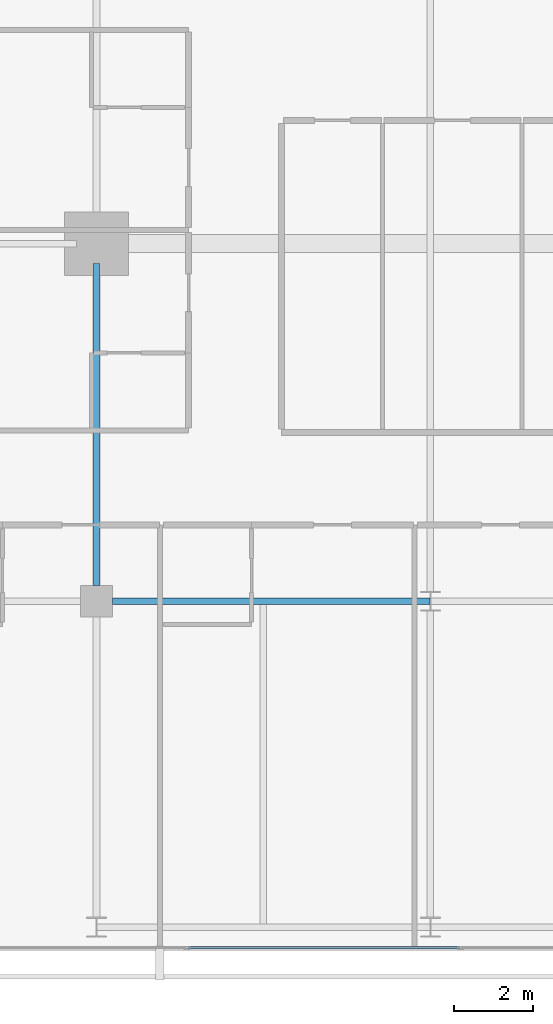
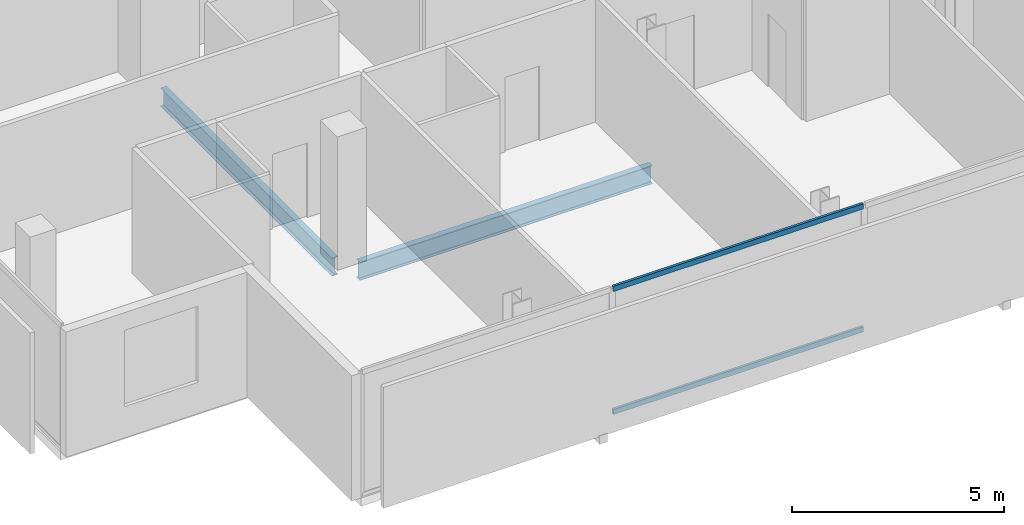
# One storey, part 5 of 26: 2 beams, 2 members, 1 element without a shape of its own.
"""IFC4 building model written with IfcOpenShell, lengths in metres."""

from ifc_helpers import new_model, si_unit, direction, frame, origin, origin_2d, place, context, subcontext, project, spatial, hollow_rectangle, i_section, extrude, material, layer, layer_set, material_profile, profile_set, type_object, element, aggregate, save


model = new_model("IFC4")

# Units and contexts
model_context = context("Model", 3, precision=1e-05, world=origin(), true_north=direction((0.0, 1.0)))
body_context = subcontext(model_context, "Body", "Model", "MODEL_VIEW")
ifc_project = project(units=[si_unit("LENGTHUNIT", "METRE"), si_unit("AREAUNIT", "SQUARE_METRE"), si_unit("VOLUMEUNIT", "CUBIC_METRE"), si_unit("PLANEANGLEUNIT", "RADIAN"), si_unit("MASSUNIT", "GRAM", prefix="KILO")], contexts=[model_context])

# Site, building, storey
site_placement = place(None, origin())
site = spatial("IfcSite", under=ifc_project, at=site_placement, CompositionType="ELEMENT")
building_placement = place(site_placement, origin())
building = spatial("IfcBuilding", under=site, at=building_placement, Name="Maruvema Waterfront Hotel and Observation Tower", CompositionType="ELEMENT")
storey_placement = place(building_placement, frame((0.0, 0.0, 289.449951171875)))
storey = spatial("IfcBuildingStorey", under=building, at=storey_placement, Name="L71", CompositionType="ELEMENT", Elevation=289.449951171875)

# Curtain wall, members
ifc_material_1 = material(Name="Anodised bronze aluminium and solar-control low-E IGU", Category="aluminium")
ifc_layer = layer(ifc_material_1, 0.159912109375, Name="Zone 3 Champagne Inner Thermal Curtain Wall System CW-04")
ifc_layer_set = layer_set([ifc_layer], Name="Anodised bronze aluminium and solar-control low-E IGU")
curtain_wall_type = type_object("IfcCurtainWallType", Name="Zone 3 Champagne Inner Thermal Curtain Wall System CW-04", PredefinedType="USERDEFINED", material=ifc_layer_set)
curtain_wall_placement = place(storey_placement, origin())
curtain_wall = element("IfcCurtainWall", 1, at=curtain_wall_placement, inside=storey, type_object=curtain_wall_type, Name="L71 Curtain Wall CW-L71-S", ObjectType="UNITISED CURTAIN WALL", PredefinedType="USERDEFINED")
ifc_material_2 = material(Name="Anodised architectural bronze aluminium", Category="aluminium")
ifc_material_profile_1 = material_profile(ifc_material_2, hollow_rectangle(XDim=0.070068359375, YDim=0.14990234375, WallThickness=0.00390625, at=origin_2d()), Name="ALU-T70x150")
ifc_profile_set_1 = profile_set([ifc_material_profile_1], Name="Anodised architectural bronze aluminium")
member_type = type_object("IfcMemberType", Name="Curtain Wall Horizontal Transom ALU-T70x150", PredefinedType="USERDEFINED", material=ifc_profile_set_1)
member_1_placement = place(storey_placement, frame((27.510009765625, 9.280029296875, 0.030029296875), z_axis=(1.0, 0.0, 0.0), x_axis=(0.0, 1.0, 0.0)))
member_1 = element("IfcMember", 2, at=member_1_placement, type_object=member_type, Name="CW-04 transom 2.1", ObjectType="TRANSOM", PredefinedType="USERDEFINED", context=body_context, shape_type="SweptSolid", body=[
    extrude(hollow_rectangle(XDim=0.070068359375, YDim=0.14990234375, WallThickness=0.00390625, at=origin_2d()), origin(), (0.0, 0.0, 1.0), 6.820068359375),
])
member_2_placement = place(storey_placement, frame((27.510009765625, 9.280029296875, 3.580078125), z_axis=(1.0, 0.0, 0.0), x_axis=(0.0, 1.0, 0.0)))
member_2 = element("IfcMember", 3, at=member_2_placement, type_object=member_type, Name="CW-04 transom 2.2", ObjectType="TRANSOM", PredefinedType="USERDEFINED", context=body_context, shape_type="SweptSolid", body=[
    extrude(hollow_rectangle(XDim=0.070068359375, YDim=0.14990234375, WallThickness=0.00390625, at=origin_2d()), origin(), (0.0, 0.0, 1.0), 6.820068359375),
])
aggregate(curtain_wall, [member_1, member_2])

# Beams
ifc_material_3 = material(Name="Steel ASTM A572 Grade 50", Category="steel")
ifc_material_profile_2 = material_profile(ifc_material_3, i_section(OverallWidth=0.166015625, OverallDepth=0.529052734375, WebThickness=0.009765625, FlangeThickness=0.013671875, FilletRadius=0.014892578125, at=origin_2d()), Name="W530x74.0")
ifc_profile_set_2 = profile_set([ifc_material_profile_2], Name="Steel ASTM A572 Grade 50")
beam_type = type_object("IfcBeamType", Name="Primary Floor Girder W530x74.0", PredefinedType="BEAM", material=ifc_profile_set_2)
beam_1_placement = place(storey_placement, frame((25.60009765625, 18.0, -0.50439453125), z_axis=(1.0, 0.0, 0.0), x_axis=(0.0, 1.0, 0.0)))
element("IfcBeam", 4, at=beam_1_placement, inside=storey, type_object=beam_type, Name="L71 Floor Girder EW-05", PredefinedType="BEAM", context=body_context, shape_type="SweptSolid", body=[
    extrude(i_section(OverallWidth=0.166015625, OverallDepth=0.529052734375, WebThickness=0.009765625, FlangeThickness=0.013671875, FilletRadius=0.014892578125, at=origin_2d()), origin(), (0.0, 0.0, 1.0), 7.989013671875),
])
beam_2_placement = place(storey_placement, frame((25.199951171875, 18.39990234375, -0.50439453125), z_axis=(0.0, 1.0, 0.0), x_axis=(-1.0, 0.0, 0.0)))
element("IfcBeam", 5, at=beam_2_placement, inside=storey, type_object=beam_type, Name="L71 Floor Girder NS-05", PredefinedType="BEAM", context=body_context, shape_type="SweptSolid", body=[
    extrude(i_section(OverallWidth=0.166015625, OverallDepth=0.529052734375, WebThickness=0.009765625, FlangeThickness=0.013671875, FilletRadius=0.014892578125, at=origin_2d()), origin(), (0.0, 0.0, 1.0), 8.10009765625),
])

save(model, "model.ifc")
